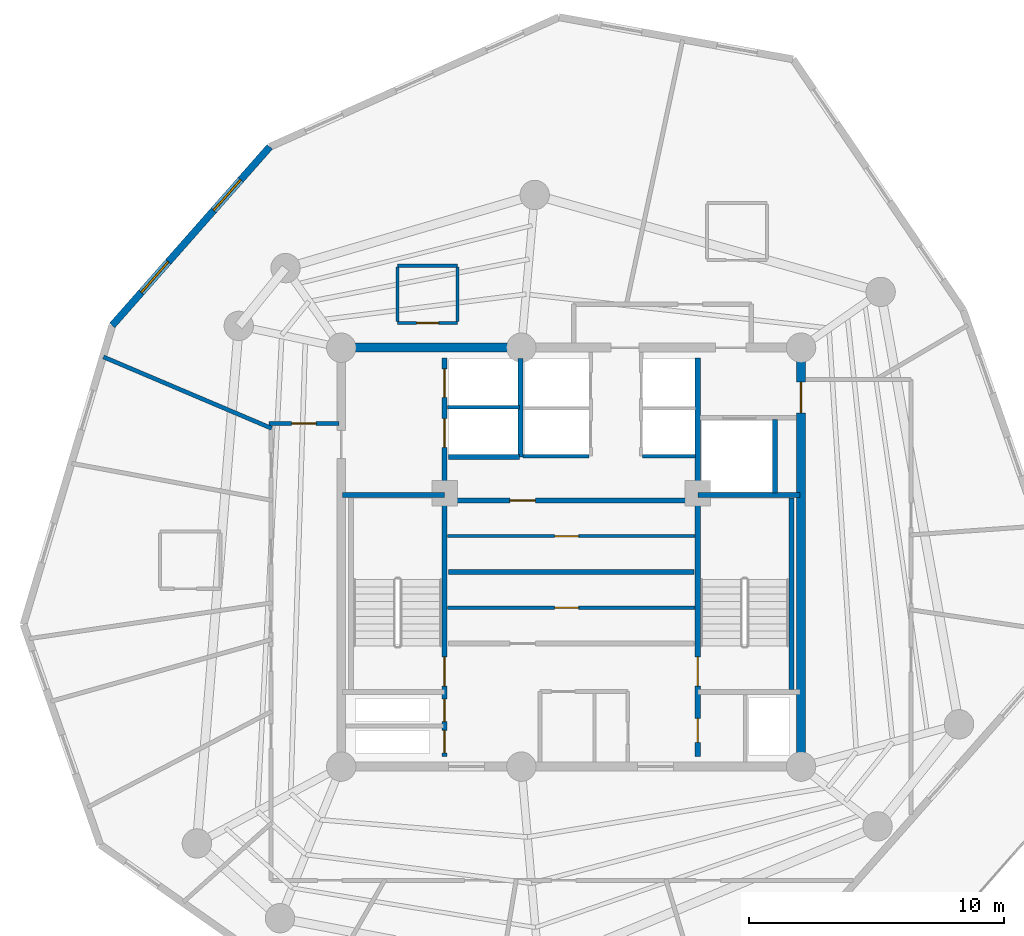
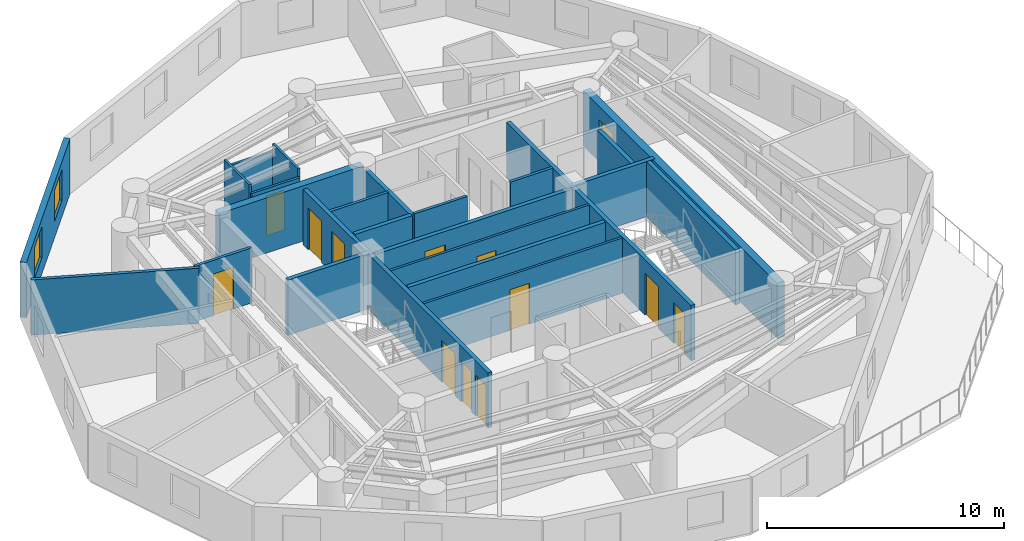
# One storey, part 4 of 7: 24 walls, 13 doors, 2 windows, 15 openings.
"""IFC4 building model written with IfcOpenShell, lengths in metres."""

from ifc_helpers import new_model, si_unit, direction, frame, frame_2d, origin, origin_with_axes, place, context, subcontext, project, spatial, rectangle, extrude, source, transform, mapped, material, layer, layer_set, type_object, element, fill, save


model = new_model("IFC4")

# Units and contexts
model_context = context("Model", 3, precision=1e-05, world=origin(), true_north=direction((0.0, 1.0)))
body_context = subcontext(model_context, "Body", "Model", "MODEL_VIEW")
ifc_project = project(units=[si_unit("LENGTHUNIT", "METRE"), si_unit("AREAUNIT", "SQUARE_METRE"), si_unit("VOLUMEUNIT", "CUBIC_METRE"), si_unit("PLANEANGLEUNIT", "RADIAN"), si_unit("MASSUNIT", "GRAM", prefix="KILO")], contexts=[model_context])

# Site, building, storey
site_placement = place(None, origin())
site = spatial("IfcSite", under=ifc_project, at=site_placement, CompositionType="ELEMENT")
building_placement = place(site_placement, origin())
building = spatial("IfcBuilding", under=site, at=building_placement, Name="Karkom Vertical University and Central Library", CompositionType="ELEMENT")
storey_placement = place(building_placement, frame((0.0, 0.0, 235.199951171875)))
storey = spatial("IfcBuildingStorey", under=building, at=storey_placement, Name="L69", CompositionType="ELEMENT", Elevation=235.199951171875)

# Wall, openings, windows
ifc_material_1 = material(Name="Brick-faced precast concrete C45/55", Category="masonry")
ifc_layer_1 = layer(ifc_material_1, 0.280029296875)
ifc_layer_set_1 = layer_set([ifc_layer_1], Name="Brick-faced precast concrete C45/55")
wall_type_1 = type_object("IfcWallType", Name="ENV-WL-BRK-280", PredefinedType="SOLIDWALL", material=ifc_layer_set_1)
wall_1_placement = place(storey_placement, frame((16.70263671875, 42.5615234375, 0.0), z_axis=(0.0, 0.0, 1.0), x_axis=(-0.661509910768, -0.749936422609, 0.0)))
wall_1 = element("IfcWall", 1, at=wall_1_placement, inside=storey, type_object=wall_type_1, Name="Level 69 Brick-Faced Precast Facade Wall 10", PredefinedType="SOLIDWALL", context=body_context, shape_type="SweptSolid", body=[
    extrude(rectangle(XDim=9.32373046875, YDim=0.280029296875, at=frame_2d((4.661865234375, 0.0))), origin(), (0.0, 0.0, 1.0), 2.85009765625),
])
opening_1_placement = place(wall_1_placement, frame((1.720947265625, 0.0, 0.85009765625)))
opening_1 = element("IfcOpeningElement", 2, at=opening_1_placement, cuts=wall_1, Name="Opening WN-10", PredefinedType="OPENING", context=body_context, shape_type="SweptSolid", body=[
    extrude(rectangle(XDim=1.60009765625, YDim=1.60009765625, at=frame_2d((0.800048828125, 0.800048828125))), frame((0.0, 0.14990234375, 0.0), z_axis=(0.0, -1.0, 0.0), x_axis=(1.0, 0.0, 0.0)), (0.0, 0.0, 1.0), 0.300048828125),
])
opening_2_placement = place(wall_1_placement, frame((6.0029296875, 0.0, 0.85009765625)))
opening_2 = element("IfcOpeningElement", 3, at=opening_2_placement, cuts=wall_1, Name="Opening WN-10", PredefinedType="OPENING", context=body_context, shape_type="SweptSolid", body=[
    extrude(rectangle(XDim=1.60009765625, YDim=1.60009765625, at=frame_2d((0.800048828125, 0.800048828125))), frame((0.0, 0.14990234375, 0.0), z_axis=(0.0, -1.0, 0.0), x_axis=(1.0, 0.0, 0.0)), (0.0, 0.0, 1.0), 0.300048828125),
])
ifc_material_2 = material(Name="Aluminium thermal-break frame with solar-control IGU", Category="aluminium")
window_type = type_object("IfcWindowType", Name="ENV-WIN-WN-10", PartitioningType="SINGLE_PANEL", PredefinedType="WINDOW", material=ifc_material_2)
shared_shape_1 = source(origin_with_axes(), body_context, "Body", "SweptSolid", [
    extrude(rectangle(XDim=1.60009765625, YDim=1.60009765625, at=frame_2d((0.800048828125, 0.800048828125))), frame((0.0, 0.030029296875, 0.0), z_axis=(0.0, -1.0, 0.0), x_axis=(1.0, 0.0, 0.0)), (0.0, 0.0, 1.0), 0.06005859375),
])
window_1_placement = place(opening_1_placement, origin())
window_1 = element("IfcWindow", 4, at=window_1_placement, inside=storey, type_object=window_type, Name="Level 69 Punched Window 10.1", OverallHeight=1.60009765625, OverallWidth=1.60009765625, PartitioningType="SINGLE_PANEL", PredefinedType="WINDOW", context=body_context, shape_type="MappedRepresentation", body=[
    mapped(shared_shape_1, transform((0.0, 0.0, 0.0), scale=1.0)),
])
fill(opening_1, window_1)
window_2_placement = place(opening_2_placement, origin())
window_2 = element("IfcWindow", 5, at=window_2_placement, inside=storey, type_object=window_type, Name="Level 69 Punched Window 10.2", OverallHeight=1.60009765625, OverallWidth=1.60009765625, PartitioningType="SINGLE_PANEL", PredefinedType="WINDOW", context=body_context, shape_type="MappedRepresentation", body=[
    mapped(shared_shape_1, transform((0.0, 0.0, 0.0), scale=1.0)),
])
fill(opening_2, window_2)

# Wall
ifc_material_3 = material(Name="Insulated metal-stud drywall 160mm", Category="gypsum")
ifc_layer_2 = layer(ifc_material_3, 0.159912109375)
ifc_layer_set_2 = layer_set([ifc_layer_2], Name="Insulated metal-stud drywall 160mm")
wall_type_2 = type_object("IfcWallType", Name="INT-WL-COR-160", PredefinedType="PARTITIONING", material=ifc_layer_set_2)
wall_2_placement = place(storey_placement, frame((16.777587890625, 31.541015625, 0.0), z_axis=(0.0, 0.0, 1.0), x_axis=(-0.920506259016, 0.390727817173, 0.0)))
element("IfcWall", 6, at=wall_2_placement, inside=storey, type_object=wall_type_2, Name="Level 69 Interior Partition Wall L69-PW-012", PredefinedType="PARTITIONING", context=body_context, shape_type="SweptSolid", body=[
    extrude(rectangle(XDim=7.151123046875, YDim=0.159912109375, at=frame_2d((3.57568359375, 0.0))), origin(), (0.0, 0.0, 1.0), 2.85009765625),
])

# Wall, opening, door
ifc_material_4 = material(Name="Moisture-resistant drywall 120mm", Category="gypsum")
ifc_layer_3 = layer(ifc_material_4, 0.1201171875)
ifc_layer_set_3 = layer_set([ifc_layer_3], Name="Moisture-resistant drywall 120mm")
wall_type_3 = type_object("IfcWallType", Name="INT-WL-INT-120F", PredefinedType="PARTITIONING", material=ifc_layer_set_3)
wall_3_placement = place(storey_placement, frame((23.652099609375, 24.52001953125, 0.0), z_axis=(0.0, 0.0, 1.0), x_axis=(1.0, 0.0, 0.0)))
wall_3 = element("IfcWall", 7, at=wall_3_placement, inside=storey, type_object=wall_type_3, Name="Level 69 Interior Partition Wall L69-CW-B1-K3H", PredefinedType="PARTITIONING", context=body_context, shape_type="SweptSolid", body=[
    extrude(rectangle(XDim=9.697509765625, YDim=0.1201171875, at=frame_2d((4.8486328125, 0.0))), origin(), (0.0, 0.0, 1.0), 2.85009765625),
])
opening_3_placement = place(wall_3_placement, frame((4.199951171875, 0.0, 0.0)))
opening_3 = element("IfcOpeningElement", 8, at=opening_3_placement, cuts=wall_3, Name="Opening D-WC1", PredefinedType="OPENING", context=body_context, shape_type="SweptSolid", body=[
    extrude(rectangle(XDim=0.93994140625, YDim=2.10009765625, at=frame_2d((0.469970703125, 1.050048828125))), frame((0.0, 0.070068359375, 0.0), z_axis=(0.0, -1.0, 0.0), x_axis=(1.0, 0.0, 0.0)), (0.0, 0.0, 1.0), 0.14013671875),
])
ifc_material_5 = material(Name="Fire-rated laminate moisture-resistant door", Category="wood")
door_type_1 = type_object("IfcDoorType", Name="INT-DR-WC1", OperationType="NOTDEFINED", PredefinedType="DOOR", material=ifc_material_5)
shared_shape_2 = source(origin_with_axes(), body_context, "Body", "SweptSolid", [
    extrude(rectangle(XDim=0.93994140625, YDim=2.10009765625, at=frame_2d((0.469970703125, 1.050048828125))), frame((0.0, 0.02490234375, 0.0), z_axis=(0.0, -1.0, 0.0), x_axis=(1.0, 0.0, 0.0)), (0.0, 0.0, 1.0), 0.050048828125),
])
door_1_placement = place(opening_3_placement, origin())
door_1 = element("IfcDoor", 9, at=door_1_placement, inside=storey, type_object=door_type_1, Name="Level 69 B1 Core WC Strip Door", OperationType="SINGLE_SWING_RIGHT", OverallHeight=2.10009765625, OverallWidth=0.93994140625, PredefinedType="DOOR", context=body_context, shape_type="MappedRepresentation", body=[
    mapped(shared_shape_2, transform((0.0, 0.0, 0.0), scale=1.0)),
])
fill(opening_3, door_1)

wall_4_placement = place(storey_placement, frame((23.652099609375, 27.320068359375, 0.0), z_axis=(0.0, 0.0, 1.0), x_axis=(1.0, 0.0, 0.0)))
wall_4 = element("IfcWall", 10, at=wall_4_placement, inside=storey, type_object=wall_type_3, Name="Level 69 Interior Partition Wall L69-CW-B2-K3H", PredefinedType="PARTITIONING", context=body_context, shape_type="SweptSolid", body=[
    extrude(rectangle(XDim=9.697509765625, YDim=0.1201171875, at=frame_2d((4.8486328125, 0.0))), origin(), (0.0, 0.0, 1.0), 2.85009765625),
])
opening_4_placement = place(wall_4_placement, frame((4.199951171875, 0.0, 0.0)))
opening_4 = element("IfcOpeningElement", 11, at=opening_4_placement, cuts=wall_4, Name="Opening D-WC1", PredefinedType="OPENING", context=body_context, shape_type="SweptSolid", body=[
    extrude(rectangle(XDim=0.93994140625, YDim=2.10009765625, at=frame_2d((0.469970703125, 1.050048828125))), frame((0.0, 0.070068359375, 0.0), z_axis=(0.0, -1.0, 0.0), x_axis=(1.0, 0.0, 0.0)), (0.0, 0.0, 1.0), 0.14013671875),
])
door_2_placement = place(opening_4_placement, origin())
door_2 = element("IfcDoor", 12, at=door_2_placement, inside=storey, type_object=door_type_1, Name="Level 69 B2 Core WC Strip Door", OperationType="SINGLE_SWING_RIGHT", OverallHeight=2.10009765625, OverallWidth=0.93994140625, PredefinedType="DOOR", context=body_context, shape_type="MappedRepresentation", body=[
    mapped(shared_shape_2, transform((0.0, 0.0, 0.0), scale=1.0)),
])
fill(opening_4, door_2)

wall_5_placement = place(storey_placement, frame((21.697998046875, 35.666015625, 0.0), z_axis=(0.0, 0.0, 1.0), x_axis=(1.0, 0.0, 0.0)))
wall_5 = element("IfcWall", 13, at=wall_5_placement, inside=storey, type_object=wall_type_3, Name="Level 69 Interior Partition Wall L69-ENS-51-S", PredefinedType="PARTITIONING", context=body_context, shape_type="SweptSolid", body=[
    extrude(rectangle(XDim=2.360107421875, YDim=0.1201171875, at=frame_2d((1.18017578125, 0.0))), origin(), (0.0, 0.0, 1.0), 2.449951171875),
])
opening_5_placement = place(wall_5_placement, frame((0.75, 0.0, 0.0)))
opening_5 = element("IfcOpeningElement", 14, at=opening_5_placement, cuts=wall_5, Name="Opening D-BTH2", PredefinedType="OPENING", context=body_context, shape_type="SweptSolid", body=[
    extrude(rectangle(XDim=0.860107421875, YDim=2.0400390625, at=frame_2d((0.43017578125, 1.02001953125))), frame((0.0, 0.070068359375, 0.0), z_axis=(0.0, -1.0, 0.0), x_axis=(1.0, 0.0, 0.0)), (0.0, 0.0, 1.0), 0.14013671875),
])
ifc_material_6 = material(Name="Moisture-resistant oak door", Category="wood")
door_type_2 = type_object("IfcDoorType", Name="INT-DR-DBTH2", OperationType="NOTDEFINED", PredefinedType="DOOR", material=ifc_material_6)
shared_shape_3 = source(origin_with_axes(), body_context, "Body", "SweptSolid", [
    extrude(rectangle(XDim=0.860107421875, YDim=2.0400390625, at=frame_2d((0.43017578125, 1.02001953125))), frame((0.0, 0.02490234375, 0.0), z_axis=(0.0, -1.0, 0.0), x_axis=(1.0, 0.0, 0.0)), (0.0, 0.0, 1.0), 0.050048828125),
])
door_3_placement = place(opening_5_placement, origin())
door_3 = element("IfcDoor", 15, at=door_3_placement, inside=storey, type_object=door_type_2, Name="Level 69 En-Suite Bathroom Door 51", OperationType="SINGLE_SWING_RIGHT", OverallHeight=2.0400390625, OverallWidth=0.860107421875, PredefinedType="DOOR", context=body_context, shape_type="MappedRepresentation", body=[
    mapped(shared_shape_3, transform((0.0, 0.0, 0.0), scale=1.0)),
])
fill(opening_5, door_3)

# Walls
wall_6_placement = place(storey_placement, frame((24.05810546875, 37.906005859375, 0.0), z_axis=(0.0, 0.0, 1.0), x_axis=(-1.0, 0.0, 0.0)))
element("IfcWall", 16, at=wall_6_placement, inside=storey, type_object=wall_type_3, Name="Level 69 Interior Partition Wall L69-ENS-51-N", PredefinedType="PARTITIONING", context=body_context, shape_type="SweptSolid", body=[
    extrude(rectangle(XDim=2.360107421875, YDim=0.1201171875, at=frame_2d((1.18017578125, 0.0))), origin(), (0.0, 0.0, 1.0), 2.449951171875),
])
for number, where, z_axis, x_axis, name in (
    (17, (24.05810546875, 35.716064453125, 0.0), (0.0, 0.0, 1.0), (0.0, 1.0, 0.0), "Level 69 Interior Partition Wall L69-ENS-51-E"),
    (18, (21.697998046875, 37.85595703125, 0.0), (0.0, 0.0, 1.0), (0.0, -1.0, 0.0), "Level 69 Interior Partition Wall L69-ENS-51-W"),
):
    element("IfcWall", number, at=place(storey_placement, frame(where, z_axis=z_axis, x_axis=x_axis)), inside=storey, type_object=wall_type_3, Name=name, PredefinedType="PARTITIONING", context=body_context, shape_type="SweptSolid", body=[
        extrude(rectangle(XDim=2.139892578125, YDim=0.1201171875, at=frame_2d((1.06982421875, 0.0))), origin(), (0.0, 0.0, 1.0), 2.85009765625),
    ])

# Wall, opening, door
ifc_material_7 = material(Name="Metal-stud gypsum partition 140mm", Category="gypsum")
ifc_layer_4 = layer(ifc_material_7, 0.139892578125)
ifc_layer_set_4 = layer_set([ifc_layer_4], Name="Metal-stud gypsum partition 140mm")
wall_type_4 = type_object("IfcWallType", Name="INT-WL-SUB-140", PredefinedType="PARTITIONING", material=ifc_layer_set_4)
wall_7_placement = place(storey_placement, frame((19.419921875, 31.72998046875, 0.0), z_axis=(0.0, 0.0, 1.0), x_axis=(-1.0, 0.0, 0.0)))
wall_7 = element("IfcWall", 19, at=wall_7_placement, inside=storey, type_object=wall_type_4, Name="Level 69 Interior Partition Wall L69-CWALL-422", PredefinedType="PARTITIONING", context=body_context, shape_type="SweptSolid", body=[
    extrude(rectangle(XDim=2.75, YDim=0.139892578125, at=frame_2d((1.375, 0.0))), origin(), (0.0, 0.0, 1.0), 2.85009765625),
])
opening_6_placement = place(wall_7_placement, frame((0.89990234375, 0.0, 0.0)))
opening_6 = element("IfcOpeningElement", 20, at=opening_6_placement, cuts=wall_7, Name="Opening FD-RM2", PredefinedType="OPENING", context=body_context, shape_type="SweptSolid", body=[
    extrude(rectangle(XDim=0.9599609375, YDim=2.14990234375, at=frame_2d((0.47998046875, 1.074951171875))), frame((0.0, 0.080078125, 0.0), z_axis=(0.0, -1.0, 0.0), x_axis=(1.0, 0.0, 0.0)), (0.0, 0.0, 1.0), 0.159912109375),
])
ifc_material_8 = material(Name="Fire-rated oak veneer door", Category="wood")
door_type_3 = type_object("IfcDoorType", Name="INT-DR-FRM2", OperationType="NOTDEFINED", PredefinedType="DOOR", material=ifc_material_8)
shared_shape_4 = source(origin_with_axes(), body_context, "Body", "SweptSolid", [
    extrude(rectangle(XDim=0.9599609375, YDim=2.14990234375, at=frame_2d((0.47998046875, 1.074951171875))), frame((0.0, 0.02490234375, 0.0), z_axis=(0.0, -1.0, 0.0), x_axis=(1.0, 0.0, 0.0)), (0.0, 0.0, 1.0), 0.050048828125),
])
door_4_placement = place(opening_6_placement, origin())
door_4 = element("IfcDoor", 21, at=door_4_placement, inside=storey, type_object=door_type_3, Name="Level 69 Room Entry Door 422", OperationType="SINGLE_SWING_LEFT", OverallHeight=2.14990234375, OverallWidth=0.9599609375, PredefinedType="DOOR", context=body_context, shape_type="MappedRepresentation", body=[
    mapped(shared_shape_4, transform((0.0, 0.0, 0.0), scale=1.0)),
])
fill(opening_6, door_4)

# Walls
ifc_layer_5 = layer(ifc_material_7, 0.139892578125)
ifc_layer_set_5 = layer_set([ifc_layer_5], Name="Metal-stud gypsum partition 140mm")
wall_type_5 = type_object("IfcWallType", Name="INT-WL-SUB-140H", PredefinedType="PARTITIONING", material=ifc_layer_set_5)
wall_8_placement = place(storey_placement, frame((26.6201171875, 30.449951171875, 0.0), z_axis=(0.0, 0.0, 1.0), x_axis=(1.0, 0.0, 0.0)))
element("IfcWall", 22, at=wall_8_placement, inside=storey, type_object=wall_type_5, Name="Level 69 Interior Partition Wall L69-CW-PH-S1", PredefinedType="PARTITIONING", context=body_context, shape_type="SweptSolid", body=[
    extrude(rectangle(XDim=2.579833984375, YDim=0.139892578125, at=frame_2d((1.2900390625, 0.0))), origin(), (0.0, 0.0, 1.0), 2.85009765625),
])
wall_9_placement = place(storey_placement, frame((31.300048828125, 30.449951171875, 0.0), z_axis=(0.0, 0.0, 1.0), x_axis=(1.0, 0.0, 0.0)))
element("IfcWall", 23, at=wall_9_placement, inside=storey, type_object=wall_type_5, Name="Level 69 Interior Partition Wall L69-CW-PH-S2", PredefinedType="PARTITIONING", context=body_context, shape_type="SweptSolid", body=[
    extrude(rectangle(XDim=2.074951171875, YDim=0.139892578125, at=frame_2d((1.03759765625, 0.0))), origin(), (0.0, 0.0, 1.0), 2.85009765625),
])
ifc_layer_6 = layer(ifc_material_7, 0.139892578125)
ifc_layer_set_6 = layer_set([ifc_layer_6], Name="Metal-stud gypsum partition 140mm")
wall_type_6 = type_object("IfcWallType", Name="INT-WL-SUB-140X", PredefinedType="PARTITIONING", material=ifc_layer_set_6)
wall_10_placement = place(storey_placement, frame((23.652099609375, 32.3701171875, 0.0), z_axis=(0.0, 0.0, 1.0), x_axis=(1.0, 0.0, 0.0)))
element("IfcWall", 24, at=wall_10_placement, inside=storey, type_object=wall_type_6, Name="Level 69 Interior Partition Wall L69-CW-FFL-M", PredefinedType="PARTITIONING", context=body_context, shape_type="SweptSolid", body=[
    extrude(rectangle(XDim=2.827880859375, YDim=0.139892578125, at=frame_2d((1.4140625, 0.0))), origin(), (0.0, 0.0, 1.0), 2.85009765625),
])

# Wall, opening, door
ifc_material_9 = material(Name="Concrete C45/55", Category="concrete")
ifc_layer_7 = layer(ifc_material_9, 0.35009765625)
ifc_layer_set_7 = layer_set([ifc_layer_7], Name="Concrete C45/55")
wall_type_7 = type_object("IfcWallType", Name="STR-WL-CW-350", PredefinedType="SHEAR", material=ifc_layer_set_7)
wall_11_placement = place(storey_placement, frame((37.5, 18.300048828125, 0.0), z_axis=(0.0, 0.0, 1.0), x_axis=(0.0, 1.0, 0.0)))
wall_11 = element("IfcWall", 25, at=wall_11_placement, inside=storey, type_object=wall_type_7, Name="Level 69 Central Core Shear Wall EW", PredefinedType="SHEAR", context=body_context, shape_type="SweptSolid", body=[
    extrude(rectangle(XDim=16.39990234375, YDim=0.35009765625, at=frame_2d((8.199951171875, 0.0))), origin(), (0.0, 0.0, 1.0), 2.85009765625),
])
opening_7_placement = place(wall_11_placement, frame((13.85009765625, 0.0, 0.0)))
opening_7 = element("IfcOpeningElement", 26, at=opening_7_placement, cuts=wall_11, Name="Opening FD-SUB1", PredefinedType="OPENING", context=body_context, shape_type="SweptSolid", body=[
    extrude(rectangle(XDim=1.199951171875, YDim=2.14990234375, at=frame_2d((0.60009765625, 1.074951171875))), frame((0.0, 0.18505859375, 0.0), z_axis=(0.0, -1.0, 0.0), x_axis=(1.0, 0.0, 0.0)), (0.0, 0.0, 1.0), 0.3701171875),
])
ifc_material_10 = material(Name="Painted steel fire door", Category="steel")
door_type_4 = type_object("IfcDoorType", Name="INT-DR-SUB1", OperationType="NOTDEFINED", PredefinedType="DOOR", material=ifc_material_10)
shared_shape_5 = source(origin_with_axes(), body_context, "Body", "SweptSolid", [
    extrude(rectangle(XDim=1.199951171875, YDim=2.14990234375, at=frame_2d((0.60009765625, 1.074951171875))), frame((0.0, 0.02490234375, 0.0), z_axis=(0.0, -1.0, 0.0), x_axis=(1.0, 0.0, 0.0)), (0.0, 0.0, 1.0), 0.050048828125),
])
door_5_placement = place(opening_7_placement, origin())
door_5 = element("IfcDoor", 27, at=door_5_placement, inside=storey, type_object=door_type_4, Name="Level 69 East Corridor Service Lobby Door", OperationType="SINGLE_SWING_RIGHT", OverallHeight=2.14990234375, OverallWidth=1.199951171875, PredefinedType="DOOR", context=body_context, shape_type="MappedRepresentation", body=[
    mapped(shared_shape_5, transform((0.0, 0.0, 0.0), scale=1.0)),
])
fill(opening_7, door_5)

# Wall
wall_12_placement = place(storey_placement, frame((26.550048828125, 34.699951171875, 0.0), z_axis=(0.0, 0.0, 1.0), x_axis=(-1.0, 0.0, 0.0)))
element("IfcWall", 28, at=wall_12_placement, inside=storey, type_object=wall_type_7, Name="Level 69 Central Core Shear Wall NW2", PredefinedType="SHEAR", context=body_context, shape_type="SweptSolid", body=[
    extrude(rectangle(XDim=7.050048828125, YDim=0.35009765625, at=frame_2d((3.52490234375, 0.0))), origin(), (0.0, 0.0, 1.0), 2.85009765625),
])

# Wall, openings, doors
ifc_layer_8 = layer(ifc_material_9, 0.199951171875)
ifc_layer_set_8 = layer_set([ifc_layer_8], Name="Concrete C45/55")
wall_type_8 = type_object("IfcWallType", Name="STR-WL-ST-200", PredefinedType="SHEAR", material=ifc_layer_set_8)
wall_13_placement = place(storey_placement, frame((23.544921875, 18.699951171875, 0.0), z_axis=(0.0, 0.0, 1.0), x_axis=(0.0, 1.0, 0.0)))
wall_13 = element("IfcWall", 29, at=wall_13_placement, inside=storey, type_object=wall_type_8, Name="Level 69 Core Shaft Wall L69-CW-ST1-E", PredefinedType="SHEAR", context=body_context, shape_type="SweptSolid", body=[
    extrude(rectangle(XDim=15.60009765625, YDim=0.199951171875, at=frame_2d((7.800048828125, 0.0))), origin(), (0.0, 0.0, 1.0), 2.85009765625),
])
opening_8_placement = place(wall_13_placement, frame((2.75, 0.0, 0.0)))
opening_8 = element("IfcOpeningElement", 30, at=opening_8_placement, cuts=wall_13, Name="Opening FD-ST1", PredefinedType="OPENING", context=body_context, shape_type="SweptSolid", body=[
    extrude(rectangle(XDim=1.14990234375, YDim=2.14990234375, at=frame_2d((0.574951171875, 1.074951171875))), frame((0.0, 0.10986328125, 0.0), z_axis=(0.0, -1.0, 0.0), x_axis=(1.0, 0.0, 0.0)), (0.0, 0.0, 1.0), 0.219970703125),
])
opening_9_placement = place(wall_13_placement, frame((0.139892578125, 0.0, 0.0)))
opening_9 = element("IfcOpeningElement", 31, at=opening_9_placement, cuts=wall_13, Name="Opening FD-RIS", PredefinedType="OPENING", context=body_context, shape_type="SweptSolid", body=[
    extrude(rectangle(XDim=0.8798828125, YDim=2.10009765625, at=frame_2d((0.43994140625, 1.050048828125))), frame((0.0, 0.10986328125, 0.0), z_axis=(0.0, -1.0, 0.0), x_axis=(1.0, 0.0, 0.0)), (0.0, 0.0, 1.0), 0.219970703125),
])
opening_10_placement = place(wall_13_placement, frame((1.360107421875, 0.0, 0.0)))
opening_10 = element("IfcOpeningElement", 32, at=opening_10_placement, cuts=wall_13, Name="Opening FD-RIS", PredefinedType="OPENING", context=body_context, shape_type="SweptSolid", body=[
    extrude(rectangle(XDim=0.8798828125, YDim=2.10009765625, at=frame_2d((0.43994140625, 1.050048828125))), frame((0.0, 0.10986328125, 0.0), z_axis=(0.0, -1.0, 0.0), x_axis=(1.0, 0.0, 0.0)), (0.0, 0.0, 1.0), 0.219970703125),
])
opening_11_placement = place(wall_13_placement, frame((12.10009765625, 0.0, 0.0)))
opening_11 = element("IfcOpeningElement", 33, at=opening_11_placement, cuts=wall_13, Name="Opening LD-FFL", PredefinedType="OPENING", context=body_context, shape_type="SweptSolid", body=[
    extrude(rectangle(XDim=1.1201171875, YDim=2.14990234375, at=frame_2d((0.56005859375, 1.074951171875))), frame((0.0, 0.10986328125, 0.0), z_axis=(0.0, -1.0, 0.0), x_axis=(1.0, 0.0, 0.0)), (0.0, 0.0, 1.0), 0.219970703125),
])
opening_12_placement = place(wall_13_placement, frame((14.050048828125, 0.0, 0.0)))
opening_12 = element("IfcOpeningElement", 34, at=opening_12_placement, cuts=wall_13, Name="Opening LD-FFL", PredefinedType="OPENING", context=body_context, shape_type="SweptSolid", body=[
    extrude(rectangle(XDim=1.1201171875, YDim=2.14990234375, at=frame_2d((0.56005859375, 1.074951171875))), frame((0.0, 0.10986328125, 0.0), z_axis=(0.0, -1.0, 0.0), x_axis=(1.0, 0.0, 0.0)), (0.0, 0.0, 1.0), 0.219970703125),
])
ifc_material_11 = material(Name="Painted steel acoustic fire door", Category="steel")
door_type_5 = type_object("IfcDoorType", Name="INT-DR-ST1", OperationType="NOTDEFINED", PredefinedType="DOOR", material=ifc_material_11)
shared_shape_6 = source(origin_with_axes(), body_context, "Body", "SweptSolid", [
    extrude(rectangle(XDim=1.14990234375, YDim=2.14990234375, at=frame_2d((0.574951171875, 1.074951171875))), frame((0.0, 0.02490234375, 0.0), z_axis=(0.0, -1.0, 0.0), x_axis=(1.0, 0.0, 0.0)), (0.0, 0.0, 1.0), 0.050048828125),
])
door_6_placement = place(opening_8_placement, origin())
door_6 = element("IfcDoor", 35, at=door_6_placement, inside=storey, type_object=door_type_5, Name="Level 69 Stair ST-1 Fire Door", OperationType="SINGLE_SWING_LEFT", OverallHeight=2.14990234375, OverallWidth=1.14990234375, PredefinedType="DOOR", context=body_context, shape_type="MappedRepresentation", body=[
    mapped(shared_shape_6, transform((0.0, 0.0, 0.0), scale=1.0)),
])
fill(opening_8, door_6)
ifc_material_12 = material(Name="Painted steel riser access door", Category="steel")
door_type_6 = type_object("IfcDoorType", Name="INT-DR-RIS", OperationType="NOTDEFINED", PredefinedType="DOOR", material=ifc_material_12)
shared_shape_7 = source(origin_with_axes(), body_context, "Body", "SweptSolid", [
    extrude(rectangle(XDim=0.8798828125, YDim=2.10009765625, at=frame_2d((0.43994140625, 1.050048828125))), frame((0.0, 0.02490234375, 0.0), z_axis=(0.0, -1.0, 0.0), x_axis=(1.0, 0.0, 0.0)), (0.0, 0.0, 1.0), 0.050048828125),
])
door_7_placement = place(opening_9_placement, origin())
door_7 = element("IfcDoor", 36, at=door_7_placement, inside=storey, type_object=door_type_6, Name="Level 69 Electrical Riser Access Door", OperationType="SINGLE_SWING_RIGHT", OverallHeight=2.10009765625, OverallWidth=0.8798828125, PredefinedType="DOOR", context=body_context, shape_type="MappedRepresentation", body=[
    mapped(shared_shape_7, transform((0.0, 0.0, 0.0), scale=1.0)),
])
fill(opening_9, door_7)
door_8_placement = place(opening_10_placement, origin())
door_8 = element("IfcDoor", 37, at=door_8_placement, inside=storey, type_object=door_type_6, Name="Level 69 Telecom Riser Access Door", OperationType="SINGLE_SWING_LEFT", OverallHeight=2.10009765625, OverallWidth=0.8798828125, PredefinedType="DOOR", context=body_context, shape_type="MappedRepresentation", body=[
    mapped(shared_shape_7, transform((0.0, 0.0, 0.0), scale=1.0)),
])
fill(opening_10, door_8)
ifc_material_13 = material(Name="Fire-rated stainless-steel landing door", Category="steel")
door_type_7 = type_object("IfcDoorType", Name="INT-DR-LD-FFL", OperationType="SLIDING_TO_LEFT", PredefinedType="DOOR", material=ifc_material_13)
shared_shape_8 = source(origin_with_axes(), body_context, "Body", "SweptSolid", [
    extrude(rectangle(XDim=1.1201171875, YDim=2.14990234375, at=frame_2d((0.56005859375, 1.074951171875))), frame((0.0, 0.02490234375, 0.0), z_axis=(0.0, -1.0, 0.0), x_axis=(1.0, 0.0, 0.0)), (0.0, 0.0, 1.0), 0.050048828125),
])
door_9_placement = place(opening_11_placement, origin())
door_9 = element("IfcDoor", 38, at=door_9_placement, inside=storey, type_object=door_type_7, Name="Level 69 Firefighting Lift FFL-1 Landing Door", OperationType="SLIDING_TO_LEFT", OverallHeight=2.14990234375, OverallWidth=1.1201171875, PredefinedType="DOOR", context=body_context, shape_type="MappedRepresentation", body=[
    mapped(shared_shape_8, transform((0.0, 0.0, 0.0), scale=1.0)),
])
fill(opening_11, door_9)
door_10_placement = place(opening_12_placement, origin())
door_10 = element("IfcDoor", 39, at=door_10_placement, inside=storey, type_object=door_type_7, Name="Level 69 Firefighting Lift FFL-2 Landing Door", OperationType="SLIDING_TO_RIGHT", OverallHeight=2.14990234375, OverallWidth=1.1201171875, PredefinedType="DOOR", context=body_context, shape_type="MappedRepresentation", body=[
    mapped(shared_shape_8, transform((0.0, 0.0, 0.0), scale=1.0)),
])
fill(opening_12, door_10)

wall_14_placement = place(storey_placement, frame((33.455078125, 18.699951171875, 0.0), z_axis=(0.0, 0.0, 1.0), x_axis=(0.0, 1.0, 0.0)))
wall_14 = element("IfcWall", 40, at=wall_14_placement, inside=storey, type_object=wall_type_8, Name="Level 69 Core Shaft Wall L69-CW-ST2-W", PredefinedType="SHEAR", context=body_context, shape_type="SweptSolid", body=[
    extrude(rectangle(XDim=15.60009765625, YDim=0.199951171875, at=frame_2d((7.800048828125, 0.0))), origin(), (0.0, 0.0, 1.0), 2.85009765625),
])
opening_13_placement = place(wall_14_placement, frame((2.75, 0.0, 0.0)))
opening_13 = element("IfcOpeningElement", 41, at=opening_13_placement, cuts=wall_14, Name="Opening FD-ST1", PredefinedType="OPENING", context=body_context, shape_type="SweptSolid", body=[
    extrude(rectangle(XDim=1.14990234375, YDim=2.14990234375, at=frame_2d((0.574951171875, 1.074951171875))), frame((0.0, 0.10986328125, 0.0), z_axis=(0.0, -1.0, 0.0), x_axis=(1.0, 0.0, 0.0)), (0.0, 0.0, 1.0), 0.219970703125),
])
opening_14_placement = place(wall_14_placement, frame((0.550048828125, 0.0, 0.0)))
opening_14 = element("IfcOpeningElement", 42, at=opening_14_placement, cuts=wall_14, Name="Opening D-WC1", PredefinedType="OPENING", context=body_context, shape_type="SweptSolid", body=[
    extrude(rectangle(XDim=0.93994140625, YDim=2.10009765625, at=frame_2d((0.469970703125, 1.050048828125))), frame((0.0, 0.10986328125, 0.0), z_axis=(0.0, -1.0, 0.0), x_axis=(1.0, 0.0, 0.0)), (0.0, 0.0, 1.0), 0.219970703125),
])
door_11_placement = place(opening_13_placement, origin())
door_11 = element("IfcDoor", 43, at=door_11_placement, inside=storey, type_object=door_type_5, Name="Level 69 Stair ST-2 Fire Door", OperationType="SINGLE_SWING_RIGHT", OverallHeight=2.14990234375, OverallWidth=1.14990234375, PredefinedType="DOOR", context=body_context, shape_type="MappedRepresentation", body=[
    mapped(shared_shape_6, transform((0.0, 0.0, 0.0), scale=1.0)),
])
fill(opening_13, door_11)
door_12_placement = place(opening_14_placement, origin())
door_12 = element("IfcDoor", 44, at=door_12_placement, inside=storey, type_object=door_type_1, Name="Level 69 Accessible WC Door", OperationType="SINGLE_SWING_RIGHT", OverallHeight=2.10009765625, OverallWidth=0.93994140625, PredefinedType="DOOR", context=body_context, shape_type="MappedRepresentation", body=[
    mapped(shared_shape_2, transform((0.0, 0.0, 0.0), scale=1.0)),
])
fill(opening_14, door_12)

# Wall
wall_15_placement = place(storey_placement, frame((23.699951171875, 25.919921875, 0.0), z_axis=(0.0, 0.0, 1.0), x_axis=(1.0, 0.0, 0.0)))
element("IfcWall", 45, at=wall_15_placement, inside=storey, type_object=wall_type_8, Name="Level 69 Core Shaft Wall L69-CW-B1-N", PredefinedType="SHEAR", context=body_context, shape_type="SweptSolid", body=[
    extrude(rectangle(XDim=9.60009765625, YDim=0.199951171875, at=frame_2d((4.800048828125, 0.0))), origin(), (0.0, 0.0, 1.0), 2.85009765625),
])

# Wall, opening, door
wall_16_placement = place(storey_placement, frame((23.699951171875, 28.719970703125, 0.0), z_axis=(0.0, 0.0, 1.0), x_axis=(1.0, 0.0, 0.0)))
wall_16 = element("IfcWall", 46, at=wall_16_placement, inside=storey, type_object=wall_type_8, Name="Level 69 Core Shaft Wall L69-CW-B2-N", PredefinedType="SHEAR", context=body_context, shape_type="SweptSolid", body=[
    extrude(rectangle(XDim=9.60009765625, YDim=0.199951171875, at=frame_2d((4.800048828125, 0.0))), origin(), (0.0, 0.0, 1.0), 2.85009765625),
])
opening_15_placement = place(wall_16_placement, frame((2.39990234375, 0.0, 0.0)))
opening_15 = element("IfcOpeningElement", 47, at=opening_15_placement, cuts=wall_16, Name="Opening D-STR1", PredefinedType="OPENING", context=body_context, shape_type="SweptSolid", body=[
    extrude(rectangle(XDim=1.0, YDim=2.14990234375, at=frame_2d((0.5, 1.074951171875))), frame((0.0, 0.10986328125, 0.0), z_axis=(0.0, -1.0, 0.0), x_axis=(1.0, 0.0, 0.0)), (0.0, 0.0, 1.0), 0.219970703125),
])
ifc_material_14 = material(Name="Solid-core hardwood fire door", Category="wood")
door_type_8 = type_object("IfcDoorType", Name="INT-DR-STR1", OperationType="NOTDEFINED", PredefinedType="DOOR", material=ifc_material_14)
shared_shape_9 = source(origin_with_axes(), body_context, "Body", "SweptSolid", [
    extrude(rectangle(XDim=1.0, YDim=2.14990234375, at=frame_2d((0.5, 1.074951171875))), frame((0.0, 0.02490234375, 0.0), z_axis=(0.0, -1.0, 0.0), x_axis=(1.0, 0.0, 0.0)), (0.0, 0.0, 1.0), 0.050048828125),
])
door_13_placement = place(opening_15_placement, origin())
door_13 = element("IfcDoor", 48, at=door_13_placement, inside=storey, type_object=door_type_8, Name="Level 69 B2 Archive Strip Door", OperationType="SINGLE_SWING_LEFT", OverallHeight=2.14990234375, OverallWidth=1.0, PredefinedType="DOOR", context=body_context, shape_type="MappedRepresentation", body=[
    mapped(shared_shape_9, transform((0.0, 0.0, 0.0), scale=1.0)),
])
fill(opening_15, door_13)

# Walls
wall_17_placement = place(storey_placement, frame((37.125, 21.320068359375, 0.0), z_axis=(0.0, 0.0, 1.0), x_axis=(0.0, 1.0, 0.0)))
element("IfcWall", 49, at=wall_17_placement, inside=storey, type_object=wall_type_8, Name="Level 69 Core Shaft Wall L69-CW-ST2-E", PredefinedType="SHEAR", context=body_context, shape_type="SweptSolid", body=[
    extrude(rectangle(XDim=7.5, YDim=0.199951171875, at=frame_2d((3.75, 0.0))), origin(), (0.0, 0.0, 1.0), 2.85009765625),
])
for number, where, z_axis, x_axis, name in (
    (50, (33.455078125, 28.925048828125, 0.0), (0.0, 0.0, 1.0), (1.0, 0.0, 0.0), "Level 69 Core Shaft Wall L69-CW-ST2-N"),
    (51, (19.550048828125, 28.925048828125, 0.0), (0.0, 0.0, 1.0), (1.0, 0.0, 0.0), "Level 69 Core Shaft Wall L69-CW-ST1-N"),
):
    element("IfcWall", number, at=place(storey_placement, frame(where, z_axis=z_axis, x_axis=x_axis)), inside=storey, type_object=wall_type_8, Name=name, PredefinedType="SHEAR", context=body_context, shape_type="SweptSolid", body=[
        extrude(rectangle(XDim=3.994873046875, YDim=0.199951171875, at=frame_2d((1.99755859375, 0.0))), origin(), (0.0, 0.0, 1.0), 2.85009765625),
    ])
wall_18_placement = place(storey_placement, frame((26.52001953125, 30.419921875, 0.0), z_axis=(0.0, 0.0, 1.0), x_axis=(0.0, 1.0, 0.0)))
element("IfcWall", 52, at=wall_18_placement, inside=storey, type_object=wall_type_8, Name="Level 69 Core Shaft Wall L69-CW-FFL-E", PredefinedType="SHEAR", context=body_context, shape_type="SweptSolid", body=[
    extrude(rectangle(XDim=3.860107421875, YDim=0.199951171875, at=frame_2d((1.93017578125, 0.0))), origin(), (0.0, 0.0, 1.0), 2.85009765625),
])
wall_19_placement = place(storey_placement, frame((36.47998046875, 29.02001953125, 0.0), z_axis=(0.0, 0.0, 1.0), x_axis=(0.0, 1.0, 0.0)))
element("IfcWall", 53, at=wall_19_placement, inside=storey, type_object=wall_type_8, Name="Level 69 Core Shaft Wall L69-CW-SVL-E", PredefinedType="SHEAR", context=body_context, shape_type="SweptSolid", body=[
    extrude(rectangle(XDim=2.85986328125, YDim=0.199951171875, at=frame_2d((1.429931640625, 0.0))), origin(), (0.0, 0.0, 1.0), 2.85009765625),
])
wall_20_placement = place(storey_placement, frame((23.699951171875, 30.419921875, 0.0), z_axis=(0.0, 0.0, 1.0), x_axis=(1.0, 0.0, 0.0)))
element("IfcWall", 54, at=wall_20_placement, inside=storey, type_object=wall_type_8, Name="Level 69 Core Shaft Wall L69-CW-FFL-S", PredefinedType="SHEAR", context=body_context, shape_type="SweptSolid", body=[
    extrude(rectangle(XDim=2.780029296875, YDim=0.199951171875, at=frame_2d((1.39013671875, 0.0))), origin(), (0.0, 0.0, 1.0), 2.85009765625),
])

save(model, "model.ifc")
